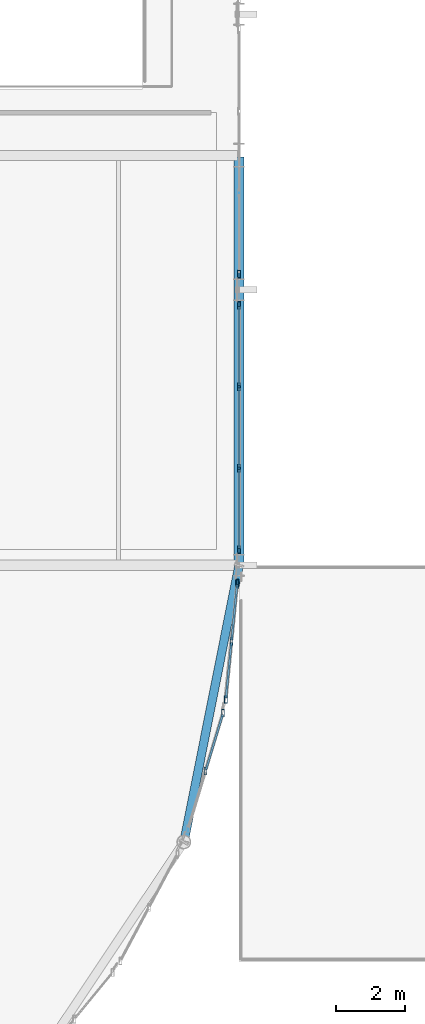
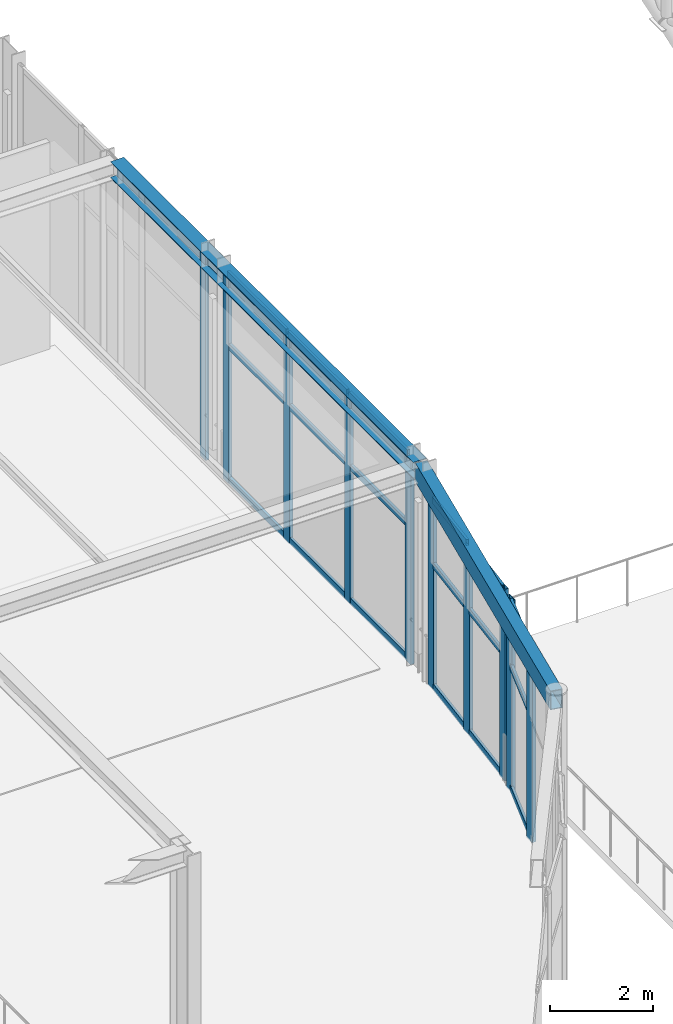
# One storey, part 60 of 195: 28 members, 2 beams, 4 elements without a shape of their own.
"""IFC4 building model written with IfcOpenShell, lengths in metres."""

from ifc_helpers import new_model, si_unit, direction, frame, origin, origin_2d, place, context, subcontext, project, spatial, hollow_rectangle, i_section, extrude, material, layer, layer_set, material_profile, profile_set, type_object, element, aggregate, save


model = new_model("IFC4")

# Units and contexts
model_context = context("Model", 3, precision=1e-05, world=origin(), true_north=direction((0.0, 1.0)))
body_context = subcontext(model_context, "Body", "Model", "MODEL_VIEW")
ifc_project = project(units=[si_unit("LENGTHUNIT", "METRE"), si_unit("AREAUNIT", "SQUARE_METRE"), si_unit("VOLUMEUNIT", "CUBIC_METRE"), si_unit("PLANEANGLEUNIT", "RADIAN"), si_unit("MASSUNIT", "GRAM", prefix="KILO")], contexts=[model_context])

# Site, building, storey
site_placement = place(None, origin())
site = spatial("IfcSite", under=ifc_project, at=site_placement, CompositionType="ELEMENT")
building_placement = place(site_placement, origin())
building = spatial("IfcBuilding", under=site, at=building_placement, Name="Marlcrest Central Station", CompositionType="ELEMENT")
storey_placement = place(building_placement, frame((0.0, 0.0, 9.800048828125)))
storey = spatial("IfcBuildingStorey", under=building, at=storey_placement, Name="L02", CompositionType="ELEMENT", Elevation=9.800048828125)

# Beam
ifc_material_1 = material(Name="Steel S355", Category="steel")
ifc_material_profile_1 = material_profile(ifc_material_1, i_section(OverallWidth=0.300048828125, OverallDepth=0.389892578125, WebThickness=0.010986328125, FlangeThickness=0.01904296875, FilletRadius=0.027099609375, at=origin_2d()), Name="HEA 400")
ifc_profile_set_1 = profile_set([ifc_material_profile_1], Name="Steel S355")
beam_type_1 = type_object("IfcBeamType", Name="BM-08", PredefinedType="BEAM", material=ifc_profile_set_1)
beam_1_placement = place(storey_placement, frame((129.0, 22.550048828125, 4.800048828125), z_axis=(0.0, 1.0, 0.0), x_axis=(-1.0, 0.0, 0.0)))
element("IfcBeam", 1, at=beam_1_placement, inside=storey, type_object=beam_type_1, Name="bm-BM-08-L02-01395", PredefinedType="BEAM", context=body_context, shape_type="SweptSolid", body=[
    extrude(i_section(OverallWidth=0.300048828125, OverallDepth=0.389892578125, WebThickness=0.010986328125, FlangeThickness=0.01904296875, FilletRadius=0.027099609375, at=origin_2d()), origin(), (0.0, 0.0, 1.0), 11.800048828125),
])

# Curtain wall, members
ifc_material_2 = material(Name="Anodised aluminium and hurricane laminated glass", Category="aluminium")
ifc_layer = layer(ifc_material_2, 0.219970703125, Name="CW-U1")
ifc_layer_set = layer_set([ifc_layer], Name="Anodised aluminium and hurricane laminated glass")
curtain_wall_type = type_object("IfcCurtainWallType", Name="CW-U1", PredefinedType="USERDEFINED", material=ifc_layer_set)
curtain_wall_1_placement = place(storey_placement, origin())
curtain_wall_1 = element("IfcCurtainWall", 2, at=curtain_wall_1_placement, inside=storey, type_object=curtain_wall_type, Name="cw-L02-0039", ObjectType="UNITISED_CURTAIN_WALL", PredefinedType="USERDEFINED")
ifc_material_3 = material(Name="Anodised aluminium 6063-T6", Category="aluminium")
ifc_material_profile_2 = material_profile(ifc_material_3, hollow_rectangle(XDim=0.080078125, YDim=0.219970703125, WallThickness=0.006103515625, at=origin_2d()), Name="AA-RHS 220x80x6")
ifc_profile_set_2 = profile_set([ifc_material_profile_2], Name="Anodised aluminium 6063-T6")
member_type_1 = type_object("IfcMemberType", Name="ML-01", PredefinedType="MULLION", material=ifc_profile_set_2)
member_1_placement = place(storey_placement, frame((128.5361328125, 18.2060546875, -0.030029296875), z_axis=(0.0, 0.0, 1.0), x_axis=(1.0, 0.0, 0.0)))
member_1 = element("IfcMember", 3, at=member_1_placement, type_object=member_type_1, Name="cw-L02-0039-ml-0", PredefinedType="MULLION", context=body_context, shape_type="SweptSolid", body=[
    extrude(hollow_rectangle(XDim=0.080078125, YDim=0.219970703125, WallThickness=0.006103515625, at=origin_2d()), origin(), (0.0, 0.0, 1.0), 4.56005859375),
])
member_2_placement = place(storey_placement, frame((128.02734375, 16.5283203125, -0.030029296875), z_axis=(0.0, 0.0, 1.0), x_axis=(1.0, 0.0, 0.0)))
member_2 = element("IfcMember", 4, at=member_2_placement, type_object=member_type_1, Name="cw-L02-0039-ml-1", PredefinedType="MULLION", context=body_context, shape_type="SweptSolid", body=[
    extrude(hollow_rectangle(XDim=0.080078125, YDim=0.219970703125, WallThickness=0.006103515625, at=origin_2d()), origin(), (0.0, 0.0, 1.0), 4.56005859375),
])

curtain_wall_2_placement = place(storey_placement, origin())
curtain_wall_2 = element("IfcCurtainWall", 5, at=curtain_wall_2_placement, inside=storey, type_object=curtain_wall_type, Name="cw-L02-0040", ObjectType="UNITISED_CURTAIN_WALL", PredefinedType="USERDEFINED")
member_3_placement = place(storey_placement, frame((128.948486328125, 21.976806640625, -0.030029296875), z_axis=(0.0, 0.0, 1.0), x_axis=(1.0, 0.0, 0.0)))
member_3 = element("IfcMember", 6, at=member_3_placement, type_object=member_type_1, Name="cw-L02-0040-ml-0", PredefinedType="MULLION", context=body_context, shape_type="SweptSolid", body=[
    extrude(hollow_rectangle(XDim=0.080078125, YDim=0.219970703125, WallThickness=0.006103515625, at=origin_2d()), origin(), (0.0, 0.0, 1.0), 4.56005859375),
])
member_4_placement = place(storey_placement, frame((128.7822265625, 20.292236328125, -0.030029296875), z_axis=(0.0, 0.0, 1.0), x_axis=(1.0, 0.0, 0.0)))
member_4 = element("IfcMember", 7, at=member_4_placement, type_object=member_type_1, Name="cw-L02-0040-ml-1", PredefinedType="MULLION", context=body_context, shape_type="SweptSolid", body=[
    extrude(hollow_rectangle(XDim=0.080078125, YDim=0.219970703125, WallThickness=0.006103515625, at=origin_2d()), origin(), (0.0, 0.0, 1.0), 4.56005859375),
])
member_5_placement = place(storey_placement, frame((128.6162109375, 18.60791015625, -0.030029296875), z_axis=(0.0, 0.0, 1.0), x_axis=(1.0, 0.0, 0.0)))
member_5 = element("IfcMember", 8, at=member_5_placement, type_object=member_type_1, Name="cw-L02-0040-ml-2", PredefinedType="MULLION", context=body_context, shape_type="SweptSolid", body=[
    extrude(hollow_rectangle(XDim=0.080078125, YDim=0.219970703125, WallThickness=0.006103515625, at=origin_2d()), origin(), (0.0, 0.0, 1.0), 4.56005859375),
])

curtain_wall_3_placement = place(storey_placement, origin())
curtain_wall_3 = element("IfcCurtainWall", 9, at=curtain_wall_3_placement, inside=storey, type_object=curtain_wall_type, Name="cw-L02-0100", ObjectType="UNITISED_CURTAIN_WALL", PredefinedType="USERDEFINED")
member_6_placement = place(storey_placement, frame((129.0, 30.050048828125, -0.030029296875), z_axis=(0.0, 0.0, 1.0), x_axis=(1.0, 0.0, 0.0)))
member_6 = element("IfcMember", 10, at=member_6_placement, type_object=member_type_1, Name="cw-L02-0100-ml-0", PredefinedType="MULLION", context=body_context, shape_type="SweptSolid", body=[
    extrude(hollow_rectangle(XDim=0.080078125, YDim=0.219970703125, WallThickness=0.006103515625, at=origin_2d()), origin(), (0.0, 0.0, 1.0), 5.010009765625),
])
member_7_placement = place(storey_placement, frame((129.0, 27.683349609375, -0.030029296875), z_axis=(0.0, 0.0, 1.0), x_axis=(1.0, 0.0, 0.0)))
member_7 = element("IfcMember", 11, at=member_7_placement, type_object=member_type_1, Name="cw-L02-0100-ml-1", PredefinedType="MULLION", context=body_context, shape_type="SweptSolid", body=[
    extrude(hollow_rectangle(XDim=0.080078125, YDim=0.219970703125, WallThickness=0.006103515625, at=origin_2d()), origin(), (0.0, 0.0, 1.0), 5.010009765625),
])
member_8_placement = place(storey_placement, frame((129.0, 25.316650390625, -0.030029296875), z_axis=(0.0, 0.0, 1.0), x_axis=(1.0, 0.0, 0.0)))
member_8 = element("IfcMember", 12, at=member_8_placement, type_object=member_type_1, Name="cw-L02-0100-ml-2", PredefinedType="MULLION", context=body_context, shape_type="SweptSolid", body=[
    extrude(hollow_rectangle(XDim=0.080078125, YDim=0.219970703125, WallThickness=0.006103515625, at=origin_2d()), origin(), (0.0, 0.0, 1.0), 5.010009765625),
])
member_9_placement = place(storey_placement, frame((129.0, 22.949951171875, -0.030029296875), z_axis=(0.0, 0.0, 1.0), x_axis=(1.0, 0.0, 0.0)))
member_9 = element("IfcMember", 13, at=member_9_placement, type_object=member_type_1, Name="cw-L02-0100-ml-3", PredefinedType="MULLION", context=body_context, shape_type="SweptSolid", body=[
    extrude(hollow_rectangle(XDim=0.080078125, YDim=0.219970703125, WallThickness=0.006103515625, at=origin_2d()), origin(), (0.0, 0.0, 1.0), 5.010009765625),
])

# Curtain wall, member
curtain_wall_4_placement = place(storey_placement, origin())
curtain_wall_4 = element("IfcCurtainWall", 14, at=curtain_wall_4_placement, inside=storey, type_object=curtain_wall_type, Name="cw-L02-0104", ObjectType="UNITISED_CURTAIN_WALL", PredefinedType="USERDEFINED")
member_10_placement = place(storey_placement, frame((129.0, 30.949951171875, -0.030029296875), z_axis=(0.0, 0.0, 1.0), x_axis=(1.0, 0.0, 0.0)))
member_10 = element("IfcMember", 15, at=member_10_placement, type_object=member_type_1, Name="cw-L02-0104-ml-3", PredefinedType="MULLION", context=body_context, shape_type="SweptSolid", body=[
    extrude(hollow_rectangle(XDim=0.080078125, YDim=0.219970703125, WallThickness=0.006103515625, at=origin_2d()), origin(), (0.0, 0.0, 1.0), 5.010009765625),
])
aggregate(curtain_wall_4, [member_10])

# Beam
ifc_material_profile_3 = material_profile(ifc_material_1, hollow_rectangle(XDim=0.25, YDim=0.449951171875, WallThickness=0.01611328125, at=origin_2d()), Name="RHS 450x250x16")
ifc_profile_set_3 = profile_set([ifc_material_profile_3], Name="Steel S355")
beam_type_2 = type_object("IfcBeamType", Name="SP-02", PredefinedType="SPANDREL", material=ifc_profile_set_3)
beam_2_placement = place(storey_placement, frame((127.40087890625, 14.464111328125, 4.77001953125), z_axis=(0.19517056122, 0.980769316421, 0.0), x_axis=(-0.980769316421, 0.19517056122, 0.0)))
element("IfcBeam", 16, at=beam_2_placement, inside=storey, type_object=beam_type_2, Name="bm-SP-02-L02-01377", PredefinedType="SPANDREL", context=body_context, shape_type="SweptSolid", body=[
    extrude(hollow_rectangle(XDim=0.25, YDim=0.449951171875, WallThickness=0.01611328125, at=origin_2d()), origin(), (0.0, 0.0, 1.0), 8.193359375),
])

# Member
ifc_material_profile_4 = material_profile(ifc_material_3, hollow_rectangle(XDim=0.06005859375, YDim=0.14990234375, WallThickness=0.00390625, at=origin_2d()), Name="AA-RHS 150x60x4")
ifc_profile_set_4 = profile_set([ifc_material_profile_4], Name="Anodised aluminium 6063-T6")
member_type_2 = type_object("IfcMemberType", Name="TR-01", PredefinedType="USERDEFINED", material=ifc_profile_set_4)
member_11_placement = place(storey_placement, frame((128.525146484375, 18.169677734375, 0.0400390625), z_axis=(-0.29025787087, -0.95694846695, 0.0), x_axis=(0.95694846695, -0.29025787087, 0.0)))
member_11 = element("IfcMember", 17, at=member_11_placement, type_object=member_type_2, Name="cw-L02-0039-tr-0-sill", ObjectType="TRANSOM", PredefinedType="USERDEFINED", context=body_context, shape_type="SweptSolid", body=[
    extrude(hollow_rectangle(XDim=0.06005859375, YDim=0.14990234375, WallThickness=0.00390625, at=origin_2d()), origin(), (0.0, 0.0, 1.0), 1.67724609375),
])

member_12_placement = place(storey_placement, frame((128.525146484375, 18.169677734375, 2.925048828125), z_axis=(-0.29025787087, -0.95694846695, 0.0), x_axis=(0.95694846695, -0.29025787087, 0.0)))
member_12 = element("IfcMember", 18, at=member_12_placement, type_object=member_type_2, Name="cw-L02-0039-tr-0-mid", ObjectType="TRANSOM", PredefinedType="USERDEFINED", context=body_context, shape_type="SweptSolid", body=[
    extrude(hollow_rectangle(XDim=0.06005859375, YDim=0.14990234375, WallThickness=0.00390625, at=origin_2d()), origin(), (0.0, 0.0, 1.0), 1.67724609375),
])

member_13_placement = place(storey_placement, frame((128.525146484375, 18.169677734375, 4.4599609375), z_axis=(-0.29025787087, -0.95694846695, 0.0), x_axis=(0.95694846695, -0.29025787087, 0.0)))
member_13 = element("IfcMember", 19, at=member_13_placement, type_object=member_type_2, Name="cw-L02-0039-tr-0-head", ObjectType="TRANSOM", PredefinedType="USERDEFINED", context=body_context, shape_type="SweptSolid", body=[
    extrude(hollow_rectangle(XDim=0.06005859375, YDim=0.14990234375, WallThickness=0.00390625, at=origin_2d()), origin(), (0.0, 0.0, 1.0), 1.67724609375),
])

aggregate(curtain_wall_1, [member_1, member_2, member_11, member_12, member_13])

member_14_placement = place(storey_placement, frame((128.944580078125, 21.93896484375, 0.0400390625), z_axis=(-0.098157974157, -0.995170845689, 0.0), x_axis=(0.995170845689, -0.098157974157, 0.0)))
member_14 = element("IfcMember", 20, at=member_14_placement, type_object=member_type_2, Name="cw-L02-0040-tr-0-sill", ObjectType="TRANSOM", PredefinedType="USERDEFINED", context=body_context, shape_type="SweptSolid", body=[
    extrude(hollow_rectangle(XDim=0.06005859375, YDim=0.14990234375, WallThickness=0.00390625, at=origin_2d()), origin(), (0.0, 0.0, 1.0), 1.61669921875),
])

member_15_placement = place(storey_placement, frame((128.944580078125, 21.93896484375, 2.925048828125), z_axis=(-0.098157974157, -0.995170845689, 0.0), x_axis=(0.995170845689, -0.098157974157, 0.0)))
member_15 = element("IfcMember", 21, at=member_15_placement, type_object=member_type_2, Name="cw-L02-0040-tr-0-mid", ObjectType="TRANSOM", PredefinedType="USERDEFINED", context=body_context, shape_type="SweptSolid", body=[
    extrude(hollow_rectangle(XDim=0.06005859375, YDim=0.14990234375, WallThickness=0.00390625, at=origin_2d()), origin(), (0.0, 0.0, 1.0), 1.61669921875),
])

member_16_placement = place(storey_placement, frame((128.944580078125, 21.93896484375, 4.4599609375), z_axis=(-0.098157974157, -0.995170845689, 0.0), x_axis=(0.995170845689, -0.098157974157, 0.0)))
member_16 = element("IfcMember", 22, at=member_16_placement, type_object=member_type_2, Name="cw-L02-0040-tr-0-head", ObjectType="TRANSOM", PredefinedType="USERDEFINED", context=body_context, shape_type="SweptSolid", body=[
    extrude(hollow_rectangle(XDim=0.06005859375, YDim=0.14990234375, WallThickness=0.00390625, at=origin_2d()), origin(), (0.0, 0.0, 1.0), 1.61669921875),
])

member_17_placement = place(storey_placement, frame((128.778564453125, 20.25439453125, 0.0400390625), z_axis=(-0.098172727839, -0.99516939036, 0.0), x_axis=(0.99516939036, -0.098172727839, 0.0)))
member_17 = element("IfcMember", 23, at=member_17_placement, type_object=member_type_2, Name="cw-L02-0040-tr-1-sill", ObjectType="TRANSOM", PredefinedType="USERDEFINED", context=body_context, shape_type="SweptSolid", body=[
    extrude(hollow_rectangle(XDim=0.06005859375, YDim=0.14990234375, WallThickness=0.00390625, at=origin_2d()), origin(), (0.0, 0.0, 1.0), 1.616455078125),
])

member_18_placement = place(storey_placement, frame((128.778564453125, 20.25439453125, 2.925048828125), z_axis=(-0.098172727839, -0.99516939036, 0.0), x_axis=(0.99516939036, -0.098172727839, 0.0)))
member_18 = element("IfcMember", 24, at=member_18_placement, type_object=member_type_2, Name="cw-L02-0040-tr-1-mid", ObjectType="TRANSOM", PredefinedType="USERDEFINED", context=body_context, shape_type="SweptSolid", body=[
    extrude(hollow_rectangle(XDim=0.06005859375, YDim=0.14990234375, WallThickness=0.00390625, at=origin_2d()), origin(), (0.0, 0.0, 1.0), 1.616455078125),
])

member_19_placement = place(storey_placement, frame((128.778564453125, 20.25439453125, 4.4599609375), z_axis=(-0.098172727839, -0.99516939036, 0.0), x_axis=(0.99516939036, -0.098172727839, 0.0)))
member_19 = element("IfcMember", 25, at=member_19_placement, type_object=member_type_2, Name="cw-L02-0040-tr-1-head", ObjectType="TRANSOM", PredefinedType="USERDEFINED", context=body_context, shape_type="SweptSolid", body=[
    extrude(hollow_rectangle(XDim=0.06005859375, YDim=0.14990234375, WallThickness=0.00390625, at=origin_2d()), origin(), (0.0, 0.0, 1.0), 1.616455078125),
])

aggregate(curtain_wall_2, [member_3, member_4, member_5, member_14, member_15, member_16, member_17, member_18, member_19])

member_20_placement = place(storey_placement, frame((129.0, 30.011962890625, 0.0400390625), z_axis=(0.0, -1.0, 0.0), x_axis=(1.0, 0.0, 0.0)))
member_20 = element("IfcMember", 26, at=member_20_placement, type_object=member_type_2, Name="cw-L02-0100-tr-0-sill", ObjectType="TRANSOM", PredefinedType="USERDEFINED", context=body_context, shape_type="SweptSolid", body=[
    extrude(hollow_rectangle(XDim=0.06005859375, YDim=0.14990234375, WallThickness=0.00390625, at=origin_2d()), origin(), (0.0, 0.0, 1.0), 2.290771484375),
])

member_21_placement = place(storey_placement, frame((129.0, 30.011962890625, 3.218017578125), z_axis=(0.0, -1.0, 0.0), x_axis=(1.0, 0.0, 0.0)))
member_21 = element("IfcMember", 27, at=member_21_placement, type_object=member_type_2, Name="cw-L02-0100-tr-0-mid", ObjectType="TRANSOM", PredefinedType="USERDEFINED", context=body_context, shape_type="SweptSolid", body=[
    extrude(hollow_rectangle(XDim=0.06005859375, YDim=0.14990234375, WallThickness=0.00390625, at=origin_2d()), origin(), (0.0, 0.0, 1.0), 2.290771484375),
])

member_22_placement = place(storey_placement, frame((129.0, 30.011962890625, 4.909912109375), z_axis=(0.0, -1.0, 0.0), x_axis=(1.0, 0.0, 0.0)))
member_22 = element("IfcMember", 28, at=member_22_placement, type_object=member_type_2, Name="cw-L02-0100-tr-0-head", ObjectType="TRANSOM", PredefinedType="USERDEFINED", context=body_context, shape_type="SweptSolid", body=[
    extrude(hollow_rectangle(XDim=0.06005859375, YDim=0.14990234375, WallThickness=0.00390625, at=origin_2d()), origin(), (0.0, 0.0, 1.0), 2.290771484375),
])

member_23_placement = place(storey_placement, frame((129.0, 27.645263671875, 0.0400390625), z_axis=(0.0, -1.0, 0.0), x_axis=(1.0, 0.0, 0.0)))
member_23 = element("IfcMember", 29, at=member_23_placement, type_object=member_type_2, Name="cw-L02-0100-tr-1-sill", ObjectType="TRANSOM", PredefinedType="USERDEFINED", context=body_context, shape_type="SweptSolid", body=[
    extrude(hollow_rectangle(XDim=0.06005859375, YDim=0.14990234375, WallThickness=0.00390625, at=origin_2d()), origin(), (0.0, 0.0, 1.0), 2.29052734375),
])

member_24_placement = place(storey_placement, frame((129.0, 27.645263671875, 3.218017578125), z_axis=(0.0, -1.0, 0.0), x_axis=(1.0, 0.0, 0.0)))
member_24 = element("IfcMember", 30, at=member_24_placement, type_object=member_type_2, Name="cw-L02-0100-tr-1-mid", ObjectType="TRANSOM", PredefinedType="USERDEFINED", context=body_context, shape_type="SweptSolid", body=[
    extrude(hollow_rectangle(XDim=0.06005859375, YDim=0.14990234375, WallThickness=0.00390625, at=origin_2d()), origin(), (0.0, 0.0, 1.0), 2.29052734375),
])

member_25_placement = place(storey_placement, frame((129.0, 27.645263671875, 4.909912109375), z_axis=(0.0, -1.0, 0.0), x_axis=(1.0, 0.0, 0.0)))
member_25 = element("IfcMember", 31, at=member_25_placement, type_object=member_type_2, Name="cw-L02-0100-tr-1-head", ObjectType="TRANSOM", PredefinedType="USERDEFINED", context=body_context, shape_type="SweptSolid", body=[
    extrude(hollow_rectangle(XDim=0.06005859375, YDim=0.14990234375, WallThickness=0.00390625, at=origin_2d()), origin(), (0.0, 0.0, 1.0), 2.29052734375),
])

member_26_placement = place(storey_placement, frame((129.0, 25.27880859375, 0.0400390625), z_axis=(0.0, -1.0, 0.0), x_axis=(1.0, 0.0, 0.0)))
member_26 = element("IfcMember", 32, at=member_26_placement, type_object=member_type_2, Name="cw-L02-0100-tr-2-sill", ObjectType="TRANSOM", PredefinedType="USERDEFINED", context=body_context, shape_type="SweptSolid", body=[
    extrude(hollow_rectangle(XDim=0.06005859375, YDim=0.14990234375, WallThickness=0.00390625, at=origin_2d()), origin(), (0.0, 0.0, 1.0), 2.290771484375),
])

member_27_placement = place(storey_placement, frame((129.0, 25.27880859375, 3.218017578125), z_axis=(0.0, -1.0, 0.0), x_axis=(1.0, 0.0, 0.0)))
member_27 = element("IfcMember", 33, at=member_27_placement, type_object=member_type_2, Name="cw-L02-0100-tr-2-mid", ObjectType="TRANSOM", PredefinedType="USERDEFINED", context=body_context, shape_type="SweptSolid", body=[
    extrude(hollow_rectangle(XDim=0.06005859375, YDim=0.14990234375, WallThickness=0.00390625, at=origin_2d()), origin(), (0.0, 0.0, 1.0), 2.290771484375),
])

member_28_placement = place(storey_placement, frame((129.0, 25.27880859375, 4.909912109375), z_axis=(0.0, -1.0, 0.0), x_axis=(1.0, 0.0, 0.0)))
member_28 = element("IfcMember", 34, at=member_28_placement, type_object=member_type_2, Name="cw-L02-0100-tr-2-head", ObjectType="TRANSOM", PredefinedType="USERDEFINED", context=body_context, shape_type="SweptSolid", body=[
    extrude(hollow_rectangle(XDim=0.06005859375, YDim=0.14990234375, WallThickness=0.00390625, at=origin_2d()), origin(), (0.0, 0.0, 1.0), 2.290771484375),
])

aggregate(curtain_wall_3, [member_6, member_7, member_8, member_9, member_20, member_21, member_22, member_23, member_24, member_25, member_26, member_27, member_28])

save(model, "model.ifc")
